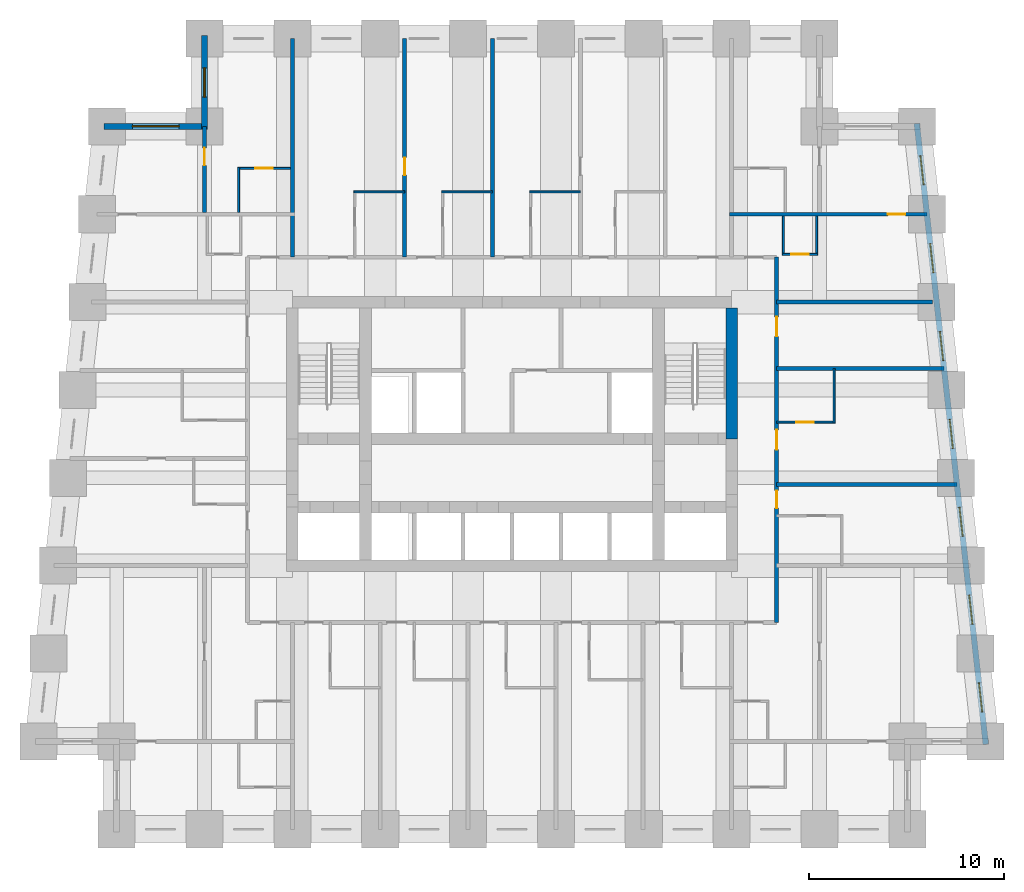
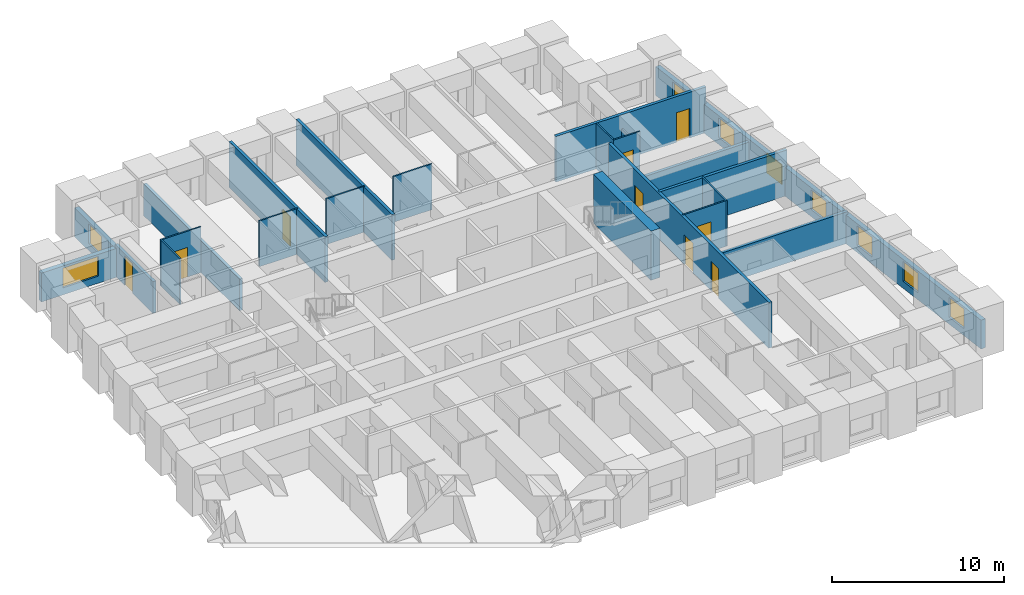
# One storey, part 6 of 8: 23 walls, 9 doors, 9 windows, 18 openings.
"""IFC4 building model written with IfcOpenShell, lengths in metres."""

from ifc_helpers import new_model, si_unit, direction, frame, frame_2d, origin, place, context, subcontext, project, spatial, rectangle, extrude, material, layer, layer_set, type_object, element, fill, save


model = new_model("IFC4")

# Units and contexts
model_context = context("Model", 3, precision=1e-05, world=origin(), true_north=direction((0.0, 1.0)))
body_context = subcontext(model_context, "Body", "Model", "MODEL_VIEW")
ifc_project = project(units=[si_unit("LENGTHUNIT", "METRE"), si_unit("AREAUNIT", "SQUARE_METRE"), si_unit("VOLUMEUNIT", "CUBIC_METRE"), si_unit("PLANEANGLEUNIT", "RADIAN"), si_unit("MASSUNIT", "GRAM", prefix="KILO")], contexts=[model_context])

# Site, building, storey
site_placement = place(None, origin())
site = spatial("IfcSite", under=ifc_project, at=site_placement, CompositionType="ELEMENT")
building_placement = place(site_placement, origin())
building = spatial("IfcBuilding", under=site, at=building_placement, Name="Kilele Tower Hotel", CompositionType="ELEMENT")
storey_placement = place(building_placement, frame((0.0, 0.0, 78.699951171875)))
storey = spatial("IfcBuildingStorey", under=building, at=storey_placement, Name="L19", CompositionType="ELEMENT", Elevation=78.699951171875)

# Wall
ifc_material_1 = material(Name="Moisture-resistant board")
ifc_layer_1 = layer(ifc_material_1, 0.10009765625)
ifc_layer_set_1 = layer_set([ifc_layer_1], Name="Moisture-resistant board")
wall_type_1 = type_object("IfcWallType", Name="Bathroom partition 100", PredefinedType="PLUMBINGWALL", material=ifc_layer_set_1)
wall_1_placement = place(storey_placement, frame((41.25, 20.800048828125, 0.0), z_axis=(0.0, 0.0, 1.0), x_axis=(0.0, 1.0, 0.0)))
element("IfcWall", 1, at=wall_1_placement, inside=storey, type_object=wall_type_1, Name="Bathroom partition 100 L19", PredefinedType="PLUMBINGWALL", context=body_context, shape_type="SweptSolid", body=[
    extrude(rectangle(XDim=2.800048828125, YDim=0.10009765625, at=frame_2d((1.39990234375, 0.0))), origin(), (0.0, 0.0, 1.0), 3.25),
])

# Wall, opening, door
wall_2_placement = place(storey_placement, frame((38.300048828125, 20.85009765625, 0.0), z_axis=(0.0, 0.0, 1.0), x_axis=(1.0, 0.0, 0.0)))
wall_2 = element("IfcWall", 2, at=wall_2_placement, inside=storey, type_object=wall_type_1, Name="Bathroom partition 100 L19", PredefinedType="PLUMBINGWALL", context=body_context, shape_type="SweptSolid", body=[
    extrude(rectangle(XDim=3.0, YDim=0.10009765625, at=frame_2d((1.5, 0.0))), origin(), (0.0, 0.0, 1.0), 3.25),
])
opening_1_placement = place(wall_2_placement, frame((1.89990234375, 0.0, 0.0), z_axis=(0.0, 0.0, 1.0), x_axis=(-1.0, 0.0, 0.0)))
opening_1 = element("IfcOpeningElement", 3, at=opening_1_placement, cuts=wall_2, Name="Opening D2A", PredefinedType="OPENING", context=body_context, shape_type="SweptSolid", body=[
    extrude(rectangle(XDim=0.89990234375, YDim=2.10009765625, at=frame_2d((0.449951171875, 1.050048828125))), frame((0.0, 0.06005859375, 0.0), z_axis=(0.0, -1.0, 0.0), x_axis=(1.0, 0.0, 0.0)), (0.0, 0.0, 1.0), 0.1201171875),
])
ifc_material_2 = material(Name="Timber door leaf in hardwood frame", Category="wood")
door_type_1 = type_object("IfcDoorType", Name="Bathroom door 900", OperationType="SINGLE_SWING_LEFT", PredefinedType="DOOR", material=ifc_material_2)
door_1_placement = place(opening_1_placement, origin())
door_1 = element("IfcDoor", 4, at=door_1_placement, inside=storey, type_object=door_type_1, Name="Bathroom door 1907B", OperationType="SINGLE_SWING_RIGHT", OverallHeight=2.10009765625, OverallWidth=0.89990234375, PredefinedType="DOOR", context=body_context, shape_type="SweptSolid", body=[
    extrude(rectangle(XDim=0.89990234375, YDim=2.10009765625, at=frame_2d((0.449951171875, 1.050048828125))), frame((0.0, 0.02490234375, 0.0), z_axis=(0.0, -1.0, 0.0), x_axis=(1.0, 0.0, 0.0)), (0.0, 0.0, 1.0), 0.050048828125),
])
fill(opening_1, door_1)

# Walls
for number, where, z_axis, x_axis, name in (
    (5, (16.64990234375, 32.64990234375, 0.0), (0.0, 0.0, 1.0), (1.0, 0.0, 0.0), "Bathroom partition 100 L19"),
    (6, (21.14990234375, 32.64990234375, 0.0), (0.0, 0.0, 1.0), (1.0, 0.0, 0.0), "Bathroom partition 100 L19"),
    (7, (25.64990234375, 32.64990234375, 0.0), (0.0, 0.0, 1.0), (1.0, 0.0, 0.0), "Bathroom partition 100 L19"),
):
    element("IfcWall", number, at=place(storey_placement, frame(where, z_axis=z_axis, x_axis=x_axis)), inside=storey, type_object=wall_type_1, Name=name, PredefinedType="PLUMBINGWALL", context=body_context, shape_type="SweptSolid", body=[
        extrude(rectangle(XDim=2.60009765625, YDim=0.10009765625, at=frame_2d((1.300048828125, 0.0))), origin(), (0.0, 0.0, 1.0), 3.25),
    ])
wall_3_placement = place(storey_placement, frame((40.35009765625, 31.39990234375, 0.0), z_axis=(0.0, 0.0, 1.0), x_axis=(0.0, -1.0, 0.0)))
element("IfcWall", 8, at=wall_3_placement, inside=storey, type_object=wall_type_1, Name="Bathroom partition 100 L19", PredefinedType="PLUMBINGWALL", context=body_context, shape_type="SweptSolid", body=[
    extrude(rectangle(XDim=2.0, YDim=0.10009765625, at=frame_2d((1.0, 0.0))), origin(), (0.0, 0.0, 1.0), 2.25),
])
wall_4_placement = place(storey_placement, frame((38.64990234375, 31.39990234375, 0.0), z_axis=(0.0, 0.0, 1.0), x_axis=(0.0, -1.0, 0.0)))
element("IfcWall", 9, at=wall_4_placement, inside=storey, type_object=wall_type_1, Name="Bathroom partition 100 L19", PredefinedType="PLUMBINGWALL", context=body_context, shape_type="SweptSolid", body=[
    extrude(rectangle(XDim=2.0, YDim=0.10009765625, at=frame_2d((1.0, 0.0))), origin(), (0.0, 0.0, 1.0), 3.25),
])

# Wall, opening, door
wall_5_placement = place(storey_placement, frame((38.60009765625, 29.449951171875, 0.0), z_axis=(0.0, 0.0, 1.0), x_axis=(1.0, 0.0, 0.0)))
wall_5 = element("IfcWall", 10, at=wall_5_placement, inside=storey, type_object=wall_type_1, Name="Bathroom partition 100 L19", PredefinedType="PLUMBINGWALL", context=body_context, shape_type="SweptSolid", body=[
    extrude(rectangle(XDim=1.7998046875, YDim=0.10009765625, at=frame_2d((0.89990234375, 0.0))), origin(), (0.0, 0.0, 1.0), 3.25),
])
opening_2_placement = place(wall_5_placement, frame((1.349853515625, 0.0, 0.0), z_axis=(0.0, 0.0, 1.0), x_axis=(-1.0, 0.0, 0.0)))
opening_2 = element("IfcOpeningElement", 11, at=opening_2_placement, cuts=wall_5, Name="Opening D2A", PredefinedType="OPENING", context=body_context, shape_type="SweptSolid", body=[
    extrude(rectangle(XDim=0.89990234375, YDim=2.10009765625, at=frame_2d((0.449951171875, 1.050048828125))), frame((0.0, 0.06005859375, 0.0), z_axis=(0.0, -1.0, 0.0), x_axis=(1.0, 0.0, 0.0)), (0.0, 0.0, 1.0), 0.1201171875),
])
door_2_placement = place(opening_2_placement, origin())
door_2 = element("IfcDoor", 12, at=door_2_placement, inside=storey, type_object=door_type_1, Name="Bathroom door 1923P", OperationType="SINGLE_SWING_RIGHT", OverallHeight=2.10009765625, OverallWidth=0.89990234375, PredefinedType="DOOR", context=body_context, shape_type="SweptSolid", body=[
    extrude(rectangle(XDim=0.89990234375, YDim=2.10009765625, at=frame_2d((0.449951171875, 1.050048828125))), frame((0.0, 0.02490234375, 0.0), z_axis=(0.0, -1.0, 0.0), x_axis=(1.0, 0.0, 0.0)), (0.0, 0.0, 1.0), 0.050048828125),
])
fill(opening_2, door_2)

# Wall
wall_6_placement = place(storey_placement, frame((10.75, 31.60009765625, 0.0), z_axis=(0.0, 0.0, 1.0), x_axis=(0.0, 1.0, 0.0)))
element("IfcWall", 13, at=wall_6_placement, inside=storey, type_object=wall_type_1, Name="Bathroom partition 100 L19", PredefinedType="PLUMBINGWALL", context=body_context, shape_type="SweptSolid", body=[
    extrude(rectangle(XDim=2.2998046875, YDim=0.10009765625, at=frame_2d((1.14990234375, 0.0))), origin(), (0.0, 0.0, 1.0), 3.25),
])

# Wall, opening, door
wall_7_placement = place(storey_placement, frame((13.39990234375, 33.85009765625, 0.0), z_axis=(0.0, 0.0, 1.0), x_axis=(-1.0, 0.0, 0.0)))
wall_7 = element("IfcWall", 14, at=wall_7_placement, inside=storey, type_object=wall_type_1, Name="Bathroom partition 100 L19", PredefinedType="PLUMBINGWALL", context=body_context, shape_type="SweptSolid", body=[
    extrude(rectangle(XDim=2.699951171875, YDim=0.10009765625, at=frame_2d((1.35009765625, 0.0))), origin(), (0.0, 0.0, 1.0), 3.25),
])
opening_3_placement = place(wall_7_placement, frame((1.7998046875, 0.0, 0.0), z_axis=(0.0, 0.0, 1.0), x_axis=(-1.0, 0.0, 0.0)))
opening_3 = element("IfcOpeningElement", 15, at=opening_3_placement, cuts=wall_7, Name="Opening D2A", PredefinedType="OPENING", context=body_context, shape_type="SweptSolid", body=[
    extrude(rectangle(XDim=0.89990234375, YDim=2.10009765625, at=frame_2d((0.449951171875, 1.050048828125))), frame((0.0, 0.06005859375, 0.0), z_axis=(0.0, -1.0, 0.0), x_axis=(1.0, 0.0, 0.0)), (0.0, 0.0, 1.0), 0.1201171875),
])
door_3_placement = place(opening_3_placement, origin())
door_3 = element("IfcDoor", 16, at=door_3_placement, inside=storey, type_object=door_type_1, Name="Bathroom door 1927B", OperationType="SINGLE_SWING_RIGHT", OverallHeight=2.10009765625, OverallWidth=0.89990234375, PredefinedType="DOOR", context=body_context, shape_type="SweptSolid", body=[
    extrude(rectangle(XDim=0.89990234375, YDim=2.10009765625, at=frame_2d((0.449951171875, 1.050048828125))), frame((0.0, 0.02490234375, 0.0), z_axis=(0.0, -1.0, 0.0), x_axis=(1.0, 0.0, 0.0)), (0.0, 0.0, 1.0), 0.050048828125),
])
fill(opening_3, door_3)

# Wall
ifc_material_3 = material(Name="Concrete C60/75", Category="concrete")
ifc_layer_2 = layer(ifc_material_3, 0.60009765625)
ifc_layer_set_2 = layer_set([ifc_layer_2], Name="Concrete C60/75")
wall_type_2 = type_object("IfcWallType", Name="Core wall 600 C60/75", PredefinedType="SHEAR", material=ifc_layer_set_2)
wall_8_placement = place(storey_placement, frame((36.0, 20.0, 0.0), z_axis=(0.0, 0.0, 1.0), x_axis=(0.0, 1.0, 0.0)))
element("IfcWall", 17, at=wall_8_placement, inside=storey, type_object=wall_type_2, Name="Core wall E3 L19", PredefinedType="SHEAR", context=body_context, shape_type="SweptSolid", body=[
    extrude(rectangle(XDim=6.699951171875, YDim=0.60009765625, at=frame_2d((3.35009765625, 0.0))), origin(), (0.0, 0.0, 1.0), 3.5),
])

# Wall, openings, doors
ifc_material_4 = material(Name="Blockwork, plastered both sides", Category="masonry")
ifc_layer_3 = layer(ifc_material_4, 0.199951171875)
ifc_layer_set_3 = layer_set([ifc_layer_3], Name="Blockwork, plastered both sides")
wall_type_3 = type_object("IfcWallType", Name="Corridor wall 200", PredefinedType="PARTITIONING", material=ifc_layer_set_3)
wall_9_placement = place(storey_placement, frame((38.300048828125, 10.60009765625, 0.0), z_axis=(0.0, 0.0, 1.0), x_axis=(0.0, 1.0, 0.0)))
wall_9 = element("IfcWall", 18, at=wall_9_placement, inside=storey, type_object=wall_type_3, Name="Corridor wall 200 L19", PredefinedType="PARTITIONING", context=body_context, shape_type="SweptSolid", body=[
    extrude(rectangle(XDim=18.699951171875, YDim=0.199951171875, at=frame_2d((9.35009765625, 0.0))), origin(), (0.0, 0.0, 1.0), 3.25),
])
opening_4_placement = place(wall_9_placement, frame((6.75, 0.0, 0.0), z_axis=(0.0, 0.0, 1.0), x_axis=(-1.0, 0.0, 0.0)))
opening_4 = element("IfcOpeningElement", 19, at=opening_4_placement, cuts=wall_9, Name="Opening D1", PredefinedType="OPENING", context=body_context, shape_type="SweptSolid", body=[
    extrude(rectangle(XDim=0.89990234375, YDim=2.10009765625, at=frame_2d((0.449951171875, 1.050048828125))), frame((0.0, 0.10986328125, 0.0), z_axis=(0.0, -1.0, 0.0), x_axis=(1.0, 0.0, 0.0)), (0.0, 0.0, 1.0), 0.219970703125),
])
opening_5_placement = place(wall_9_placement, frame((9.85009765625, 0.0, 0.0), z_axis=(0.0, 0.0, 1.0), x_axis=(-1.0, 0.0, 0.0)))
opening_5 = element("IfcOpeningElement", 20, at=opening_5_placement, cuts=wall_9, Name="Opening D1A", PredefinedType="OPENING", context=body_context, shape_type="SweptSolid", body=[
    extrude(rectangle(XDim=1.0, YDim=2.10009765625, at=frame_2d((0.5, 1.050048828125))), frame((0.0, 0.10986328125, 0.0), z_axis=(0.0, -1.0, 0.0), x_axis=(1.0, 0.0, 0.0)), (0.0, 0.0, 1.0), 0.219970703125),
])
opening_6_placement = place(wall_9_placement, frame((15.64990234375, 0.0, 0.0), z_axis=(0.0, 0.0, 1.0), x_axis=(-1.0, 0.0, 0.0)))
opening_6 = element("IfcOpeningElement", 21, at=opening_6_placement, cuts=wall_9, Name="Opening D8", PredefinedType="OPENING", context=body_context, shape_type="SweptSolid", body=[
    extrude(rectangle(XDim=1.0, YDim=2.10009765625, at=frame_2d((0.5, 1.050048828125))), frame((0.0, 0.10986328125, 0.0), z_axis=(0.0, -1.0, 0.0), x_axis=(1.0, 0.0, 0.0)), (0.0, 0.0, 1.0), 0.219970703125),
])
ifc_material_5 = material(Name="Timber door leaf in hardwood frame", Category="wood")
door_type_2 = type_object("IfcDoorType", Name="Door 1000", OperationType="SINGLE_SWING_LEFT", PredefinedType="DOOR", material=ifc_material_5)
door_4_placement = place(opening_6_placement, origin())
door_4 = element("IfcDoor", 22, at=door_4_placement, inside=storey, type_object=door_type_2, Name="Room entrance 1908", OperationType="SINGLE_SWING_LEFT", OverallHeight=2.10009765625, OverallWidth=1.0, PredefinedType="DOOR", context=body_context, shape_type="SweptSolid", body=[
    extrude(rectangle(XDim=1.0, YDim=2.10009765625, at=frame_2d((0.5, 1.050048828125))), frame((0.0, 0.02490234375, 0.0), z_axis=(0.0, -1.0, 0.0), x_axis=(1.0, 0.0, 0.0)), (0.0, 0.0, 1.0), 0.050048828125),
])
fill(opening_6, door_4)
ifc_material_6 = material(Name="Timber door leaf in hardwood frame", Category="wood")
door_type_3 = type_object("IfcDoorType", Name="Guest room entrance door 1000", OperationType="SINGLE_SWING_LEFT", PredefinedType="DOOR", material=ifc_material_6)
door_5_placement = place(opening_5_placement, origin())
door_5 = element("IfcDoor", 23, at=door_5_placement, inside=storey, type_object=door_type_3, Name="Room entrance 1907", OperationType="SINGLE_SWING_LEFT", OverallHeight=2.10009765625, OverallWidth=1.0, PredefinedType="DOOR", context=body_context, shape_type="SweptSolid", body=[
    extrude(rectangle(XDim=1.0, YDim=2.10009765625, at=frame_2d((0.5, 1.050048828125))), frame((0.0, 0.02490234375, 0.0), z_axis=(0.0, -1.0, 0.0), x_axis=(1.0, 0.0, 0.0)), (0.0, 0.0, 1.0), 0.050048828125),
])
fill(opening_5, door_5)
ifc_material_7 = material(Name="Timber door leaf in hardwood frame", Category="wood")
door_type_4 = type_object("IfcDoorType", Name="Guest room entrance door 900", OperationType="SINGLE_SWING_LEFT", PredefinedType="DOOR", material=ifc_material_7)
door_6_placement = place(opening_4_placement, origin())
door_6 = element("IfcDoor", 24, at=door_6_placement, inside=storey, type_object=door_type_4, Name="Room entrance 1906", OperationType="SINGLE_SWING_LEFT", OverallHeight=2.10009765625, OverallWidth=0.89990234375, PredefinedType="DOOR", context=body_context, shape_type="SweptSolid", body=[
    extrude(rectangle(XDim=0.89990234375, YDim=2.10009765625, at=frame_2d((0.449951171875, 1.050048828125))), frame((0.0, 0.02490234375, 0.0), z_axis=(0.0, -1.0, 0.0), x_axis=(1.0, 0.0, 0.0)), (0.0, 0.0, 1.0), 0.050048828125),
])
fill(opening_4, door_6)

# Wall, opening, door
ifc_material_8 = material(Name="Blockwork, plastered both sides", Category="masonry")
ifc_layer_4 = layer(ifc_material_8, 0.199951171875)
ifc_layer_set_4 = layer_set([ifc_layer_4], Name="Blockwork, plastered both sides")
wall_type_4 = type_object("IfcWallType", Name="Partition wall 200", PredefinedType="PARTITIONING", material=ifc_layer_set_4)
wall_10_placement = place(storey_placement, frame((9.0, 31.60009765625, 0.0), z_axis=(0.0, 0.0, 1.0), x_axis=(0.0, 1.0, 0.0)))
wall_10 = element("IfcWall", 25, at=wall_10_placement, inside=storey, type_object=wall_type_4, Name="Partition wall 200 L19", PredefinedType="PARTITIONING", context=body_context, shape_type="SweptSolid", body=[
    extrude(rectangle(XDim=4.39990234375, YDim=0.199951171875, at=frame_2d((2.199951171875, 0.0))), origin(), (0.0, 0.0, 1.0), 2.25),
])
opening_7_placement = place(wall_10_placement, frame((2.39990234375, 0.0, 0.0)))
opening_7 = element("IfcOpeningElement", 26, at=opening_7_placement, cuts=wall_10, Name="Opening D3", PredefinedType="OPENING", context=body_context, shape_type="SweptSolid", body=[
    extrude(rectangle(XDim=0.89990234375, YDim=2.10009765625, at=frame_2d((0.449951171875, 1.050048828125))), frame((0.0, 0.10986328125, 0.0), z_axis=(0.0, -1.0, 0.0), x_axis=(1.0, 0.0, 0.0)), (0.0, 0.0, 1.0), 0.219970703125),
])
ifc_material_9 = material(Name="Timber door leaf in hardwood frame", Category="wood")
door_type_5 = type_object("IfcDoorType", Name="Suite internal door 900", OperationType="SINGLE_SWING_LEFT", PredefinedType="DOOR", material=ifc_material_9)
door_7_placement = place(opening_7_placement, origin())
door_7 = element("IfcDoor", 27, at=door_7_placement, inside=storey, type_object=door_type_5, Name="Suite door 1928", OperationType="SINGLE_SWING_RIGHT", OverallHeight=2.10009765625, OverallWidth=0.89990234375, PredefinedType="DOOR", context=body_context, shape_type="SweptSolid", body=[
    extrude(rectangle(XDim=0.89990234375, YDim=2.10009765625, at=frame_2d((0.449951171875, 1.050048828125))), frame((0.0, 0.02490234375, 0.0), z_axis=(0.0, -1.0, 0.0), x_axis=(1.0, 0.0, 0.0)), (0.0, 0.0, 1.0), 0.050048828125),
])
fill(opening_7, door_7)

# Walls
ifc_material_10 = material(Name="Blockwork, plastered both sides", Category="masonry")
ifc_layer_5 = layer(ifc_material_10, 0.199951171875)
ifc_layer_set_5 = layer_set([ifc_layer_5], Name="Blockwork, plastered both sides")
wall_type_5 = type_object("IfcWallType", Name="Party wall 200", PredefinedType="PARTITIONING", material=ifc_layer_set_5)
wall_11_placement = place(storey_placement, frame((38.300048828125, 17.64990234375, 0.0), z_axis=(0.0, 0.0, 1.0), x_axis=(1.0, 0.0, 0.0)))
element("IfcWall", 28, at=wall_11_placement, inside=storey, type_object=wall_type_5, Name="Party wall 200 L19", PredefinedType="PARTITIONING", context=body_context, shape_type="SweptSolid", body=[
    extrude(rectangle(XDim=9.238037109375, YDim=0.199951171875, at=frame_2d((4.619140625, 0.0))), origin(), (0.0, 0.0, 1.0), 2.25),
])
wall_12_placement = place(storey_placement, frame((38.300048828125, 23.60009765625, 0.0), z_axis=(0.0, 0.0, 1.0), x_axis=(1.0, 0.0, 0.0)))
element("IfcWall", 29, at=wall_12_placement, inside=storey, type_object=wall_type_5, Name="Party wall 200 L19", PredefinedType="PARTITIONING", context=body_context, shape_type="SweptSolid", body=[
    extrude(rectangle(XDim=8.576904296875, YDim=0.199951171875, at=frame_2d((4.28857421875, 0.0))), origin(), (0.0, 0.0, 1.0), 3.25),
])

# Wall, opening, door
wall_13_placement = place(storey_placement, frame((19.25, 29.300048828125, 0.0), z_axis=(0.0, 0.0, 1.0), x_axis=(0.0, 1.0, 0.0)))
wall_13 = element("IfcWall", 30, at=wall_13_placement, inside=storey, type_object=wall_type_5, Name="Party wall 200 L19", PredefinedType="PARTITIONING", context=body_context, shape_type="SweptSolid", body=[
    extrude(rectangle(XDim=11.199951171875, YDim=0.199951171875, at=frame_2d((5.60009765625, 0.0))), origin(), (0.0, 0.0, 1.0), 3.25),
])
opening_8_placement = place(wall_13_placement, frame((4.199951171875, 0.0, 0.0)))
opening_8 = element("IfcOpeningElement", 31, at=opening_8_placement, cuts=wall_13, Name="Opening D3C", PredefinedType="OPENING", context=body_context, shape_type="SweptSolid", body=[
    extrude(rectangle(XDim=0.89990234375, YDim=2.10009765625, at=frame_2d((0.449951171875, 1.050048828125))), frame((0.0, 0.10986328125, 0.0), z_axis=(0.0, -1.0, 0.0), x_axis=(1.0, 0.0, 0.0)), (0.0, 0.0, 1.0), 0.219970703125),
])
ifc_material_11 = material(Name="Timber door leaf in hardwood frame", Category="wood")
door_type_6 = type_object("IfcDoorType", Name="Connecting door 900", OperationType="SINGLE_SWING_LEFT", PredefinedType="DOOR", material=ifc_material_11)
door_8_placement = place(opening_8_placement, origin())
door_8 = element("IfcDoor", 32, at=door_8_placement, inside=storey, type_object=door_type_6, Name="Connecting door 1910", OperationType="SINGLE_SWING_LEFT", OverallHeight=2.10009765625, OverallWidth=0.89990234375, PredefinedType="DOOR", context=body_context, shape_type="SweptSolid", body=[
    extrude(rectangle(XDim=0.89990234375, YDim=2.10009765625, at=frame_2d((0.449951171875, 1.050048828125))), frame((0.0, 0.02490234375, 0.0), z_axis=(0.0, -1.0, 0.0), x_axis=(1.0, 0.0, 0.0)), (0.0, 0.0, 1.0), 0.050048828125),
])
fill(opening_8, door_8)

# Walls
wall_14_placement = place(storey_placement, frame((23.75, 29.300048828125, 0.0), z_axis=(0.0, 0.0, 1.0), x_axis=(0.0, 1.0, 0.0)))
element("IfcWall", 33, at=wall_14_placement, inside=storey, type_object=wall_type_5, Name="Party wall 200 L19", PredefinedType="PARTITIONING", context=body_context, shape_type="SweptSolid", body=[
    extrude(rectangle(XDim=11.199951171875, YDim=0.199951171875, at=frame_2d((5.60009765625, 0.0))), origin(), (0.0, 0.0, 1.0), 3.25),
])
wall_15_placement = place(storey_placement, frame((38.300048828125, 27.0, 0.0), z_axis=(0.0, 0.0, 1.0), x_axis=(1.0, 0.0, 0.0)))
element("IfcWall", 34, at=wall_15_placement, inside=storey, type_object=wall_type_5, Name="Party wall 200 L19", PredefinedType="PARTITIONING", context=body_context, shape_type="SweptSolid", body=[
    extrude(rectangle(XDim=7.976806640625, YDim=0.199951171875, at=frame_2d((3.98828125, 0.0))), origin(), (0.0, 0.0, 1.0), 1.949951171875),
])

# Wall, opening, door
wall_16_placement = place(storey_placement, frame((35.89990234375, 31.5, 0.0), z_axis=(0.0, 0.0, 1.0), x_axis=(1.0, 0.0, 0.0)))
wall_16 = element("IfcWall", 35, at=wall_16_placement, inside=storey, type_object=wall_type_5, Name="Party wall 200 L19", PredefinedType="PARTITIONING", context=body_context, shape_type="SweptSolid", body=[
    extrude(rectangle(XDim=10.09912109375, YDim=0.199951171875, at=frame_2d((5.049560546875, 0.0))), origin(), (0.0, 0.0, 1.0), 3.25),
])
opening_9_placement = place(wall_16_placement, frame((8.09912109375, 0.0, 0.0)))
opening_9 = element("IfcOpeningElement", 36, at=opening_9_placement, cuts=wall_16, Name="Opening D3", PredefinedType="OPENING", context=body_context, shape_type="SweptSolid", body=[
    extrude(rectangle(XDim=0.89990234375, YDim=2.10009765625, at=frame_2d((0.449951171875, 1.050048828125))), frame((0.0, 0.10986328125, 0.0), z_axis=(0.0, -1.0, 0.0), x_axis=(1.0, 0.0, 0.0)), (0.0, 0.0, 1.0), 0.219970703125),
])
door_9_placement = place(opening_9_placement, origin())
door_9 = element("IfcDoor", 37, at=door_9_placement, inside=storey, type_object=door_type_5, Name="Suite door 1924", OperationType="SINGLE_SWING_RIGHT", OverallHeight=2.10009765625, OverallWidth=0.89990234375, PredefinedType="DOOR", context=body_context, shape_type="SweptSolid", body=[
    extrude(rectangle(XDim=0.89990234375, YDim=2.10009765625, at=frame_2d((0.449951171875, 1.050048828125))), frame((0.0, 0.02490234375, 0.0), z_axis=(0.0, -1.0, 0.0), x_axis=(1.0, 0.0, 0.0)), (0.0, 0.0, 1.0), 0.050048828125),
])
fill(opening_9, door_9)

# Wall
wall_17_placement = place(storey_placement, frame((13.5, 29.300048828125, 0.0), z_axis=(0.0, 0.0, 1.0), x_axis=(0.0, 1.0, 0.0)))
element("IfcWall", 38, at=wall_17_placement, inside=storey, type_object=wall_type_5, Name="Party wall 200 L19", PredefinedType="PARTITIONING", context=body_context, shape_type="SweptSolid", body=[
    extrude(rectangle(XDim=11.199951171875, YDim=0.199951171875, at=frame_2d((5.60009765625, 0.0))), origin(), (0.0, 0.0, 1.0), 2.25),
])

# Wall, openings, windows
ifc_material_12 = material(Name="Concrete C40/50 precast", Category="concrete")
ifc_layer_6 = layer(ifc_material_12, 0.260009765625, Name="Precast backing", Category="LoadBearing")
ifc_material_13 = material(Name="Reconstituted stone finish", Category="masonry")
ifc_layer_7 = layer(ifc_material_13, 0.0400390625, Name="Face mix", Category="Finish")
ifc_layer_set_6 = layer_set([ifc_layer_6, ifc_layer_7], Name="Precast concrete C40/50, reconstituted stone finish")
wall_type_6 = type_object("IfcWallType", Name="Precast stone facade wall 300", PredefinedType="STANDARD", material=ifc_layer_set_6)
wall_18_placement = place(storey_placement, frame((49.0166015625, 4.350830078125, 0.0), z_axis=(0.0, 0.0, 1.0), x_axis=(-0.110433201132, 0.993883548555, 0.0)))
wall_18 = element("IfcWall", 39, at=wall_18_placement, inside=storey, type_object=wall_type_6, Name="Facade wall L19 edge 6", PredefinedType="STANDARD", context=body_context, shape_type="SweptSolid", body=[
    extrude(rectangle(XDim=31.994140625, YDim=0.300048828125, at=frame_2d((15.9970703125, 0.0))), origin(), (0.0, 0.0, 1.0), 2.050048828125),
])
opening_10_placement = place(wall_18_placement, frame((1.6640625, 0.0, 0.5)))
opening_10 = element("IfcOpeningElement", 40, at=opening_10_placement, cuts=wall_18, Name="Opening W1", PredefinedType="OPENING", context=body_context, shape_type="SweptSolid", body=[
    extrude(rectangle(XDim=1.5, YDim=1.39990234375, at=frame_2d((0.75, 0.699951171875))), frame((0.0, 0.159912109375, 0.0), z_axis=(0.0, -1.0, 0.0), x_axis=(1.0, 0.0, 0.0)), (0.0, 0.0, 1.0), 0.320068359375),
])
opening_11_placement = place(wall_18_placement, frame((6.19189453125, 0.0, 0.5)))
opening_11 = element("IfcOpeningElement", 41, at=opening_11_placement, cuts=wall_18, Name="Opening W1", PredefinedType="OPENING", context=body_context, shape_type="SweptSolid", body=[
    extrude(rectangle(XDim=1.5, YDim=1.39990234375, at=frame_2d((0.75, 0.699951171875))), frame((0.0, 0.159912109375, 0.0), z_axis=(0.0, -1.0, 0.0), x_axis=(1.0, 0.0, 0.0)), (0.0, 0.0, 1.0), 0.320068359375),
])
opening_12_placement = place(wall_18_placement, frame((10.718994140625, 0.0, 0.5)))
opening_12 = element("IfcOpeningElement", 42, at=opening_12_placement, cuts=wall_18, Name="Opening W1", PredefinedType="OPENING", context=body_context, shape_type="SweptSolid", body=[
    extrude(rectangle(XDim=1.5, YDim=1.39990234375, at=frame_2d((0.75, 0.699951171875))), frame((0.0, 0.159912109375, 0.0), z_axis=(0.0, -1.0, 0.0), x_axis=(1.0, 0.0, 0.0)), (0.0, 0.0, 1.0), 0.320068359375),
])
opening_13_placement = place(wall_18_placement, frame((15.2470703125, 0.0, 0.5)))
opening_13 = element("IfcOpeningElement", 43, at=opening_13_placement, cuts=wall_18, Name="Opening W1", PredefinedType="OPENING", context=body_context, shape_type="SweptSolid", body=[
    extrude(rectangle(XDim=1.5, YDim=1.39990234375, at=frame_2d((0.75, 0.699951171875))), frame((0.0, 0.159912109375, 0.0), z_axis=(0.0, -1.0, 0.0), x_axis=(1.0, 0.0, 0.0)), (0.0, 0.0, 1.0), 0.320068359375),
])
opening_14_placement = place(wall_18_placement, frame((19.77490234375, 0.0, 0.5)))
opening_14 = element("IfcOpeningElement", 44, at=opening_14_placement, cuts=wall_18, Name="Opening W1", PredefinedType="OPENING", context=body_context, shape_type="SweptSolid", body=[
    extrude(rectangle(XDim=1.5, YDim=1.39990234375, at=frame_2d((0.75, 0.699951171875))), frame((0.0, 0.159912109375, 0.0), z_axis=(0.0, -1.0, 0.0), x_axis=(1.0, 0.0, 0.0)), (0.0, 0.0, 1.0), 0.320068359375),
])
opening_15_placement = place(wall_18_placement, frame((24.302001953125, 0.0, 0.5)))
opening_15 = element("IfcOpeningElement", 45, at=opening_15_placement, cuts=wall_18, Name="Opening W1", PredefinedType="OPENING", context=body_context, shape_type="SweptSolid", body=[
    extrude(rectangle(XDim=1.5, YDim=1.39990234375, at=frame_2d((0.75, 0.699951171875))), frame((0.0, 0.159912109375, 0.0), z_axis=(0.0, -1.0, 0.0), x_axis=(1.0, 0.0, 0.0)), (0.0, 0.0, 1.0), 0.320068359375),
])
opening_16_placement = place(wall_18_placement, frame((28.830078125, 0.0, 0.5)))
opening_16 = element("IfcOpeningElement", 46, at=opening_16_placement, cuts=wall_18, Name="Opening W1", PredefinedType="OPENING", context=body_context, shape_type="SweptSolid", body=[
    extrude(rectangle(XDim=1.5, YDim=1.39990234375, at=frame_2d((0.75, 0.699951171875))), frame((0.0, 0.159912109375, 0.0), z_axis=(0.0, -1.0, 0.0), x_axis=(1.0, 0.0, 0.0)), (0.0, 0.0, 1.0), 0.320068359375),
])
ifc_material_14 = material(Name="Aluminium frame, clear double glazing", Category="aluminium")
window_type_1 = type_object("IfcWindowType", Name="Window W1 1500 x 1400", PartitioningType="SINGLE_PANEL", PredefinedType="WINDOW", material=ifc_material_14)
window_1_placement = place(opening_10_placement, origin())
window_1 = element("IfcWindow", 47, at=window_1_placement, inside=storey, type_object=window_type_1, Name="Window L19", OverallHeight=1.39990234375, OverallWidth=1.5, PartitioningType="SINGLE_PANEL", PredefinedType="WINDOW", context=body_context, shape_type="SweptSolid", body=[
    extrude(rectangle(XDim=1.5, YDim=1.39990234375, at=frame_2d((0.75, 0.699951171875))), frame((0.0, 0.030029296875, 0.0), z_axis=(0.0, -1.0, 0.0), x_axis=(1.0, 0.0, 0.0)), (0.0, 0.0, 1.0), 0.06005859375),
])
fill(opening_10, window_1)
window_2_placement = place(opening_11_placement, origin())
window_2 = element("IfcWindow", 48, at=window_2_placement, inside=storey, type_object=window_type_1, Name="Window L19", OverallHeight=1.39990234375, OverallWidth=1.5, PartitioningType="SINGLE_PANEL", PredefinedType="WINDOW", context=body_context, shape_type="SweptSolid", body=[
    extrude(rectangle(XDim=1.5, YDim=1.39990234375, at=frame_2d((0.75, 0.699951171875))), frame((0.0, 0.030029296875, 0.0), z_axis=(0.0, -1.0, 0.0), x_axis=(1.0, 0.0, 0.0)), (0.0, 0.0, 1.0), 0.06005859375),
])
fill(opening_11, window_2)
window_3_placement = place(opening_12_placement, origin())
window_3 = element("IfcWindow", 49, at=window_3_placement, inside=storey, type_object=window_type_1, Name="Window L19", OverallHeight=1.39990234375, OverallWidth=1.5, PartitioningType="SINGLE_PANEL", PredefinedType="WINDOW", context=body_context, shape_type="SweptSolid", body=[
    extrude(rectangle(XDim=1.5, YDim=1.39990234375, at=frame_2d((0.75, 0.699951171875))), frame((0.0, 0.030029296875, 0.0), z_axis=(0.0, -1.0, 0.0), x_axis=(1.0, 0.0, 0.0)), (0.0, 0.0, 1.0), 0.06005859375),
])
fill(opening_12, window_3)
window_4_placement = place(opening_13_placement, origin())
window_4 = element("IfcWindow", 50, at=window_4_placement, inside=storey, type_object=window_type_1, Name="Window L19", OverallHeight=1.39990234375, OverallWidth=1.5, PartitioningType="SINGLE_PANEL", PredefinedType="WINDOW", context=body_context, shape_type="SweptSolid", body=[
    extrude(rectangle(XDim=1.5, YDim=1.39990234375, at=frame_2d((0.75, 0.699951171875))), frame((0.0, 0.030029296875, 0.0), z_axis=(0.0, -1.0, 0.0), x_axis=(1.0, 0.0, 0.0)), (0.0, 0.0, 1.0), 0.06005859375),
])
fill(opening_13, window_4)
window_5_placement = place(opening_14_placement, origin())
window_5 = element("IfcWindow", 51, at=window_5_placement, inside=storey, type_object=window_type_1, Name="Window L19", OverallHeight=1.39990234375, OverallWidth=1.5, PartitioningType="SINGLE_PANEL", PredefinedType="WINDOW", context=body_context, shape_type="SweptSolid", body=[
    extrude(rectangle(XDim=1.5, YDim=1.39990234375, at=frame_2d((0.75, 0.699951171875))), frame((0.0, 0.030029296875, 0.0), z_axis=(0.0, -1.0, 0.0), x_axis=(1.0, 0.0, 0.0)), (0.0, 0.0, 1.0), 0.06005859375),
])
fill(opening_14, window_5)
window_6_placement = place(opening_15_placement, origin())
window_6 = element("IfcWindow", 52, at=window_6_placement, inside=storey, type_object=window_type_1, Name="Window L19", OverallHeight=1.39990234375, OverallWidth=1.5, PartitioningType="SINGLE_PANEL", PredefinedType="WINDOW", context=body_context, shape_type="SweptSolid", body=[
    extrude(rectangle(XDim=1.5, YDim=1.39990234375, at=frame_2d((0.75, 0.699951171875))), frame((0.0, 0.030029296875, 0.0), z_axis=(0.0, -1.0, 0.0), x_axis=(1.0, 0.0, 0.0)), (0.0, 0.0, 1.0), 0.06005859375),
])
fill(opening_15, window_6)
window_7_placement = place(opening_16_placement, origin())
window_7 = element("IfcWindow", 53, at=window_7_placement, inside=storey, type_object=window_type_1, Name="Window L19", OverallHeight=1.39990234375, OverallWidth=1.5, PartitioningType="SINGLE_PANEL", PredefinedType="WINDOW", context=body_context, shape_type="SweptSolid", body=[
    extrude(rectangle(XDim=1.5, YDim=1.39990234375, at=frame_2d((0.75, 0.699951171875))), frame((0.0, 0.030029296875, 0.0), z_axis=(0.0, -1.0, 0.0), x_axis=(1.0, 0.0, 0.0)), (0.0, 0.0, 1.0), 0.06005859375),
])
fill(opening_16, window_7)

# Wall, opening, window
wall_19_placement = place(storey_placement, frame((9.0, 40.64990234375, 0.0), z_axis=(0.0, 0.0, 1.0), x_axis=(0.0, -1.0, 0.0)))
wall_19 = element("IfcWall", 54, at=wall_19_placement, inside=storey, type_object=wall_type_6, Name="Facade wall L19 edge 10", PredefinedType="STANDARD", context=body_context, shape_type="SweptSolid", body=[
    extrude(rectangle(XDim=4.7998046875, YDim=0.300048828125, at=frame_2d((2.39990234375, 0.0))), origin(), (0.0, 0.0, 1.0), 2.050048828125),
])
opening_17_placement = place(wall_19_placement, frame((1.64990234375, 0.0, 0.5)))
opening_17 = element("IfcOpeningElement", 55, at=opening_17_placement, cuts=wall_19, Name="Opening W1", PredefinedType="OPENING", context=body_context, shape_type="SweptSolid", body=[
    extrude(rectangle(XDim=1.5, YDim=1.39990234375, at=frame_2d((0.75, 0.699951171875))), frame((0.0, 0.159912109375, 0.0), z_axis=(0.0, -1.0, 0.0), x_axis=(1.0, 0.0, 0.0)), (0.0, 0.0, 1.0), 0.320068359375),
])
window_8_placement = place(opening_17_placement, origin())
window_8 = element("IfcWindow", 56, at=window_8_placement, inside=storey, type_object=window_type_1, Name="Window L19", OverallHeight=1.39990234375, OverallWidth=1.5, PartitioningType="SINGLE_PANEL", PredefinedType="WINDOW", context=body_context, shape_type="SweptSolid", body=[
    extrude(rectangle(XDim=1.5, YDim=1.39990234375, at=frame_2d((0.75, 0.699951171875))), frame((0.0, 0.030029296875, 0.0), z_axis=(0.0, -1.0, 0.0), x_axis=(1.0, 0.0, 0.0)), (0.0, 0.0, 1.0), 0.06005859375),
])
fill(opening_17, window_8)

wall_20_placement = place(storey_placement, frame((9.14990234375, 36.0, 0.0), z_axis=(0.0, 0.0, 1.0), x_axis=(-1.0, 0.0, 0.0)))
wall_20 = element("IfcWall", 57, at=wall_20_placement, inside=storey, type_object=wall_type_6, Name="Facade wall L19 edge 11", PredefinedType="STANDARD", context=body_context, shape_type="SweptSolid", body=[
    extrude(rectangle(XDim=5.2998046875, YDim=0.300048828125, at=frame_2d((2.64990234375, 0.0))), origin(), (0.0, 0.0, 1.0), 2.050048828125),
])
opening_18_placement = place(wall_20_placement, frame((1.449951171875, 0.0, 0.5)))
opening_18 = element("IfcOpeningElement", 58, at=opening_18_placement, cuts=wall_20, Name="Opening W1", PredefinedType="OPENING", context=body_context, shape_type="SweptSolid", body=[
    extrude(rectangle(XDim=2.39990234375, YDim=1.39990234375, at=frame_2d((1.199951171875, 0.699951171875))), frame((0.0, 0.159912109375, 0.0), z_axis=(0.0, -1.0, 0.0), x_axis=(1.0, 0.0, 0.0)), (0.0, 0.0, 1.0), 0.320068359375),
])
ifc_material_15 = material(Name="Aluminium frame, clear double glazing", Category="aluminium")
window_type_2 = type_object("IfcWindowType", Name="Window W1 2400 x 1400", PartitioningType="SINGLE_PANEL", PredefinedType="WINDOW", material=ifc_material_15)
window_9_placement = place(opening_18_placement, origin())
window_9 = element("IfcWindow", 59, at=window_9_placement, inside=storey, type_object=window_type_2, Name="Window L19", OverallHeight=1.39990234375, OverallWidth=2.39990234375, PartitioningType="SINGLE_PANEL", PredefinedType="WINDOW", context=body_context, shape_type="SweptSolid", body=[
    extrude(rectangle(XDim=2.39990234375, YDim=1.39990234375, at=frame_2d((1.199951171875, 0.699951171875))), frame((0.0, 0.030029296875, 0.0), z_axis=(0.0, -1.0, 0.0), x_axis=(1.0, 0.0, 0.0)), (0.0, 0.0, 1.0), 0.06005859375),
])
fill(opening_18, window_9)

save(model, "model.ifc")
